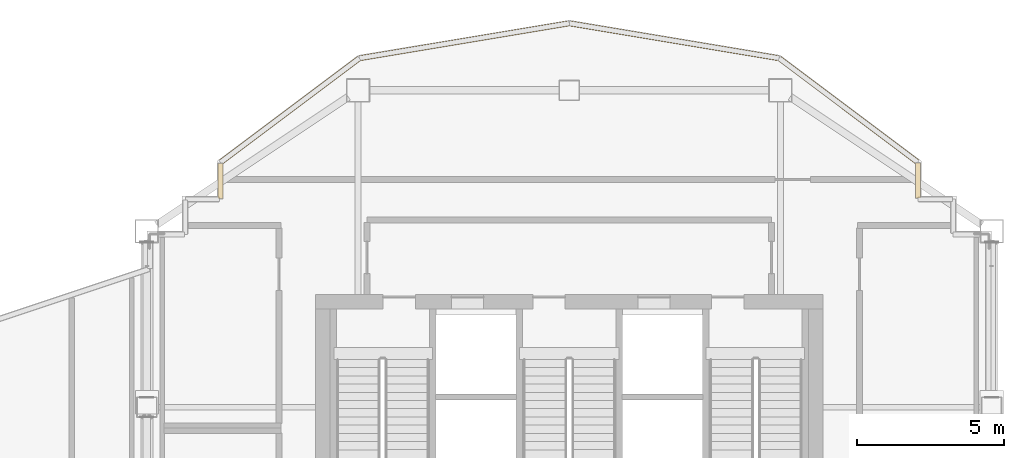
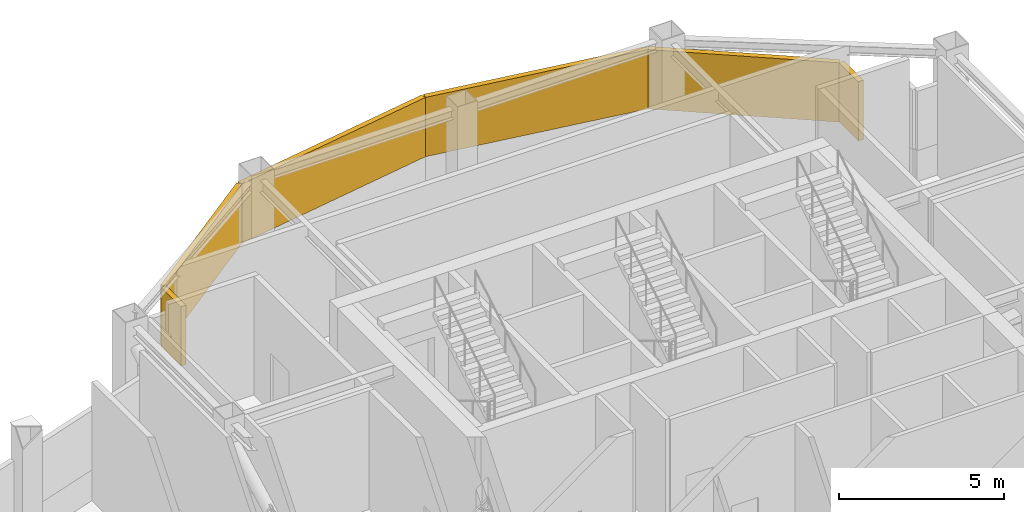
# One storey, part 15 of 15: 6 shading devices.
"""IFC4 building model written with IfcOpenShell, lengths in metres."""

from ifc_helpers import new_model, si_unit, direction, frame, origin, origin_2d, place, context, subcontext, project, spatial, rectangle, extrude, material, type_object, element, save


model = new_model("IFC4")

# Units and contexts
model_context = context("Model", 3, precision=1e-05, world=origin(), true_north=direction((0.0, 1.0)))
body_context = subcontext(model_context, "Body", "Model", "MODEL_VIEW")
ifc_project = project(units=[si_unit("LENGTHUNIT", "METRE"), si_unit("AREAUNIT", "SQUARE_METRE"), si_unit("VOLUMEUNIT", "CUBIC_METRE"), si_unit("PLANEANGLEUNIT", "RADIAN"), si_unit("MASSUNIT", "GRAM", prefix="KILO")], contexts=[model_context])

# Site, building, storey
site_placement = place(None, origin())
site = spatial("IfcSite", under=ifc_project, at=site_placement, CompositionType="ELEMENT")
building_placement = place(site_placement, origin())
building = spatial("IfcBuilding", under=site, at=building_placement, Name="Haolan Belvedere Tower", CompositionType="ELEMENT")
storey_placement = place(building_placement, frame((0.0, 0.0, 277.550048828125)))
storey = spatial("IfcBuildingStorey", under=building, at=storey_placement, Name="L70", CompositionType="ELEMENT", Elevation=277.550048828125)

# Shading devices
ifc_material = material(Name="Anodised champagne-silver aluminium 6063-T6", Category="aluminium")
shading_device_type = type_object("IfcShadingDeviceType", Name="SHD-LOUV-180", PredefinedType="JALOUSIE", material=ifc_material)
shading_device_1_placement = place(storey_placement, frame((50.2900390625, 47.33251953125, 1.14990234375), z_axis=(0.0, 0.0, 1.0), x_axis=(0.0, 1.0, 0.0)))
element("IfcShadingDevice", 1, at=shading_device_1_placement, inside=storey, type_object=shading_device_type, Name="L70 refuge storm-proof louvre bank 7.1", PredefinedType="JALOUSIE", context=body_context, shape_type="SweptSolid", body=[
    extrude(rectangle(XDim=1.18505859375, YDim=0.179931640625, at=origin_2d()), origin(), (0.0, 0.0, 1.0), 2.199951171875),
])
shading_device_2_placement = place(storey_placement, frame((47.916748046875, 49.724853515625, 1.14990234375), z_axis=(0.0, 0.0, 1.0), x_axis=(-0.799998928149, 0.600001429133, 0.0)))
element("IfcShadingDevice", 2, at=shading_device_2_placement, inside=storey, type_object=shading_device_type, Name="L70 refuge storm-proof louvre bank 8.1", PredefinedType="JALOUSIE", context=body_context, shape_type="SweptSolid", body=[
    extrude(rectangle(XDim=5.863037109375, YDim=0.179931640625, at=origin_2d()), origin(), (0.0, 0.0, 1.0), 2.199951171875),
])
for number, where, z_axis, x_axis, name in (
    (3, (41.977783203125, 52.09228515625, 1.14990234375), (0.0, 0.0, 1.0), (-0.986394848329, 0.164393440227, 0.0), "L70 refuge storm-proof louvre bank 9.1"),
    (4, (34.822265625, 52.09228515625, 1.14990234375), (0.0, 0.0, 1.0), (-0.986394848329, -0.164393440227, 0.0), "L70 refuge storm-proof louvre bank 10.1"),
):
    element("IfcShadingDevice", number, at=place(storey_placement, frame(where, z_axis=z_axis, x_axis=x_axis)), inside=storey, type_object=shading_device_type, Name=name, PredefinedType="JALOUSIE", context=body_context, shape_type="SweptSolid", body=[
        extrude(rectangle(XDim=7.214111328125, YDim=0.179931640625, at=origin_2d()), origin(), (0.0, 0.0, 1.0), 2.199951171875),
    ])
shading_device_3_placement = place(storey_placement, frame((28.877197265625, 49.720458984375, 1.14990234375), z_axis=(0.0, 0.0, 1.0), x_axis=(-0.799998928149, -0.600001429133, 0.0)))
element("IfcShadingDevice", 5, at=shading_device_3_placement, inside=storey, type_object=shading_device_type, Name="L70 refuge storm-proof louvre bank 11.1", PredefinedType="JALOUSIE", context=body_context, shape_type="SweptSolid", body=[
    extrude(rectangle(XDim=5.878173828125, YDim=0.179931640625, at=origin_2d()), origin(), (0.0, 0.0, 1.0), 2.199951171875),
])
shading_device_4_placement = place(storey_placement, frame((26.510009765625, 47.31005859375, 1.14990234375), z_axis=(0.0, 0.0, 1.0), x_axis=(0.0, -1.0, 0.0)))
element("IfcShadingDevice", 6, at=shading_device_4_placement, inside=storey, type_object=shading_device_type, Name="L70 refuge storm-proof louvre bank 12.1", PredefinedType="JALOUSIE", context=body_context, shape_type="SweptSolid", body=[
    extrude(rectangle(XDim=1.199951171875, YDim=0.179931640625, at=origin_2d()), origin(), (0.0, 0.0, 1.0), 2.199951171875),
])

save(model, "model.ifc")
